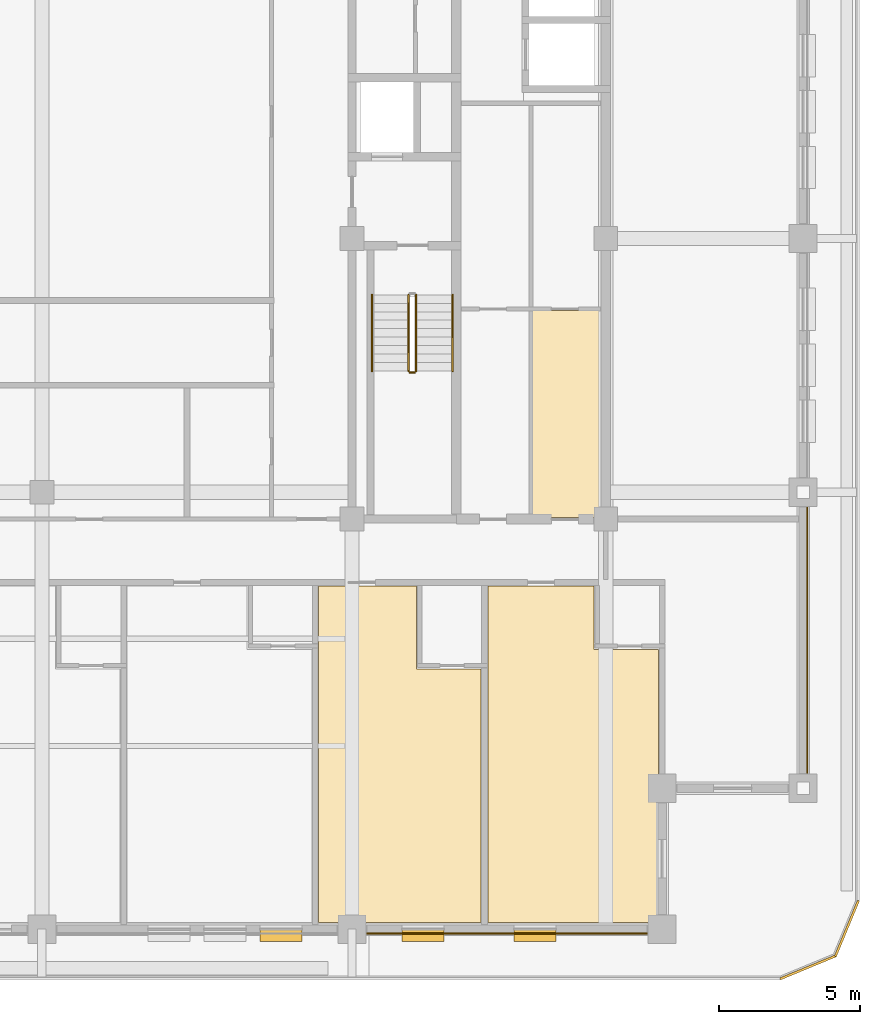
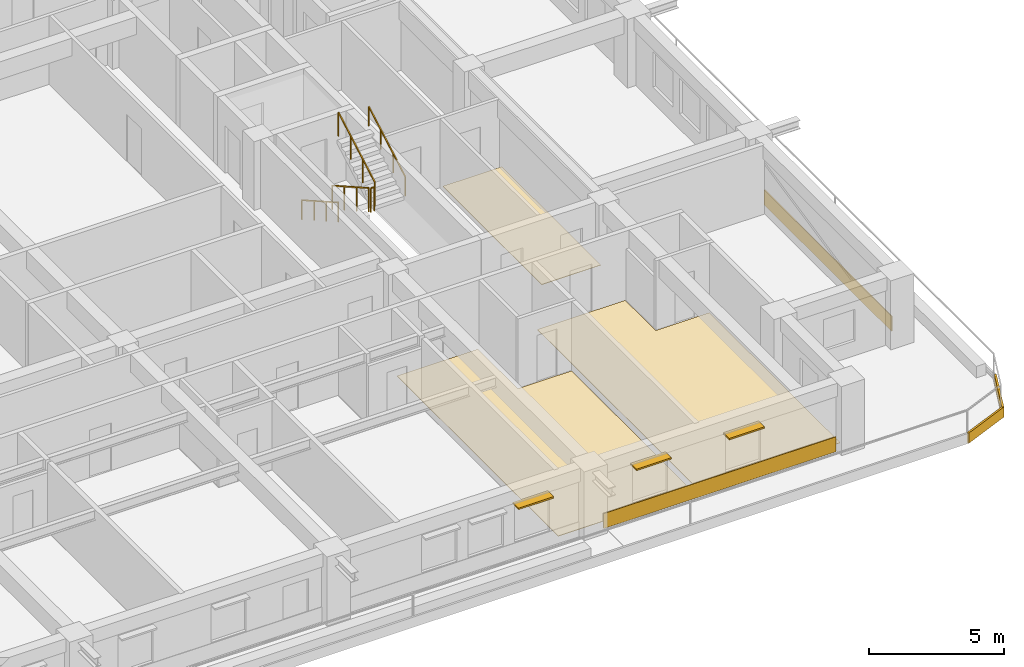
# One storey, part 13 of 15: 7 coverings, 5 railings, 3 shading devices.
"""IFC4 building model written with IfcOpenShell, lengths in metres."""

from ifc_helpers import new_model, si_unit, direction, frame, frame_2d, origin, origin_2d, place, context, subcontext, project, spatial, polyline, rectangle, outline, extrude, material, layer, layer_set, type_object, element, save


model = new_model("IFC4")

# Units and contexts
model_context = context("Model", 3, precision=1e-05, world=origin(), true_north=direction((0.0, 1.0)))
body_context = subcontext(model_context, "Body", "Model", "MODEL_VIEW")
ifc_project = project(units=[si_unit("LENGTHUNIT", "METRE"), si_unit("AREAUNIT", "SQUARE_METRE"), si_unit("VOLUMEUNIT", "CUBIC_METRE"), si_unit("PLANEANGLEUNIT", "RADIAN"), si_unit("MASSUNIT", "GRAM", prefix="KILO")], contexts=[model_context])

# Site, building, storey
site_placement = place(None, origin())
site = spatial("IfcSite", under=ifc_project, at=site_placement, CompositionType="ELEMENT")
building_placement = place(site_placement, origin())
building = spatial("IfcBuilding", under=site, at=building_placement, Name="Zulmaris Gate Convention Tower", CompositionType="ELEMENT")
storey_placement = place(building_placement, frame((0.0, 0.0, 172.85986328125)))
storey = spatial("IfcBuildingStorey", under=building, at=storey_placement, Name="L44", CompositionType="ELEMENT", Elevation=172.85986328125)

# Coverings
ifc_material_1 = material(Name="Precast concrete C40/50", Category="concrete")
ifc_layer_1 = layer(ifc_material_1, 0.0400390625, Name="Precast concrete C40/50")
ifc_layer_set_1 = layer_set([ifc_layer_1], Name="Precast concrete C40/50")
covering_type_1 = type_object("IfcCoveringType", Name="CLAD-SPANDREL-PRECAST", PredefinedType="CLADDING", material=ifc_layer_set_1)
covering_1_placement = place(storey_placement, frame((11.530029296875, -24.64990234375, 0.0), z_axis=(0.0, 0.0, 1.0), x_axis=(1.0, 0.0, 0.0)))
element("IfcCovering", 1, at=covering_1_placement, inside=storey, type_object=covering_type_1, Name="CLD-L44-S-3_0", PredefinedType="CLADDING", context=body_context, shape_type="SweptSolid", body=[
    extrude(rectangle(XDim=9.93994140625, YDim=0.0400390625, at=frame_2d((4.969970703125, 0.0))), origin(), (0.0, 0.0, 1.0), 0.679931640625),
])
covering_2_placement = place(storey_placement, frame((27.14990234375, -18.969970703125, 0.0), z_axis=(0.0, 0.0, 1.0), x_axis=(0.0, 1.0, 0.0)))
element("IfcCovering", 2, at=covering_2_placement, inside=storey, type_object=covering_type_1, Name="CLD-L44-E-0_0", PredefinedType="CLADDING", context=body_context, shape_type="SweptSolid", body=[
    extrude(rectangle(XDim=9.43994140625, YDim=0.0400390625, at=frame_2d((4.719970703125, 0.0))), origin(), (0.0, 0.0, 1.0), 0.679931640625),
])
ifc_material_2 = material(Name="White Glazed Architectural Precast Concrete C40/50", Category="concrete")
ifc_layer_2 = layer(ifc_material_2, 0.080078125, Name="White Glazed Architectural Precast Concrete C40/50")
ifc_layer_set_2 = layer_set([ifc_layer_2], Name="White Glazed Architectural Precast Concrete C40/50")
covering_type_2 = type_object("IfcCoveringType", Name="CLAD-TRAY-FASCIA", PredefinedType="CLADDING", material=ifc_layer_set_2)
covering_3_placement = place(storey_placement, frame((26.184814453125, -26.262939453125, -0.2900390625), z_axis=(0.0, 0.0, 1.0), x_axis=(0.923873803533, 0.382697263049, 0.0)))
element("IfcCovering", 3, at=covering_3_placement, inside=storey, type_object=covering_type_2, Name="FSC-L44-TR-03", PredefinedType="CLADDING", context=body_context, shape_type="SweptSolid", body=[
    extrude(rectangle(XDim=2.142822265625, YDim=0.080078125, at=frame_2d((1.0712890625, 0.0))), origin(), (0.0, 0.0, 1.0), 0.4599609375),
])
covering_4_placement = place(storey_placement, frame((28.142822265625, -25.464599609375, -0.2900390625), z_axis=(0.0, 0.0, 1.0), x_axis=(0.382656984709, 0.923890487046, 0.0)))
element("IfcCovering", 4, at=covering_4_placement, inside=storey, type_object=covering_type_2, Name="FSC-L44-TR-04", PredefinedType="CLADDING", context=body_context, shape_type="SweptSolid", body=[
    extrude(rectangle(XDim=2.14306640625, YDim=0.080078125, at=frame_2d((1.071533203125, 0.0))), origin(), (0.0, 0.0, 1.0), 0.4599609375),
])
ifc_material_3 = material(Name="Woven Acoustic Wool Carpet Tile")
ifc_layer_3 = layer(ifc_material_3, 0.02001953125, Name="Woven Acoustic Wool Carpet Tile")
ifc_layer_set_3 = layer_set([ifc_layer_3], Name="Woven Acoustic Wool Carpet Tile")
covering_type_3 = type_object("IfcCoveringType", Name="FLR-CARPET-12", PredefinedType="FLOORING", material=ifc_layer_set_3)
covering_5_placement = place(storey_placement, origin())
element("IfcCovering", 5, at=covering_5_placement, inside=storey, type_object=covering_type_3, Name="FLR-L44-R27", PredefinedType="FLOORING", context=body_context, shape_type="SweptSolid", body=[
    extrude(outline(polyline([(17.409912109375, -9.889892578125), (19.93994140625, -9.889892578125), (19.93994140625, -2.56005859375), (17.409912109375, -2.56005859375), (17.409912109375, -9.889892578125)])), origin(), (0.0, 0.0, 1.0), 0.02001953125),
])
ifc_material_4 = material(Name="Engineered Teak Parquet Flooring")
ifc_layer_4 = layer(ifc_material_4, 0.02001953125, Name="Engineered Teak Parquet Flooring")
ifc_layer_set_4 = layer_set([ifc_layer_4], Name="Engineered Teak Parquet Flooring")
covering_type_4 = type_object("IfcCoveringType", Name="FLR-TIMBER-18", PredefinedType="FLOORING", material=ifc_layer_set_4)
covering_6_placement = place(storey_placement, origin())
element("IfcCovering", 6, at=covering_6_placement, inside=storey, type_object=covering_type_4, Name="FLR-L44-R52", PredefinedType="FLOORING", context=body_context, shape_type="SweptSolid", body=[
    extrude(outline(polyline([(9.820068359375, -24.260009765625), (15.580078125, -24.260009765625), (15.580078125, -15.27001953125), (13.280029296875, -15.27001953125), (13.280029296875, -12.320068359375), (9.820068359375, -12.320068359375), (9.820068359375, -24.260009765625)])), origin(), (0.0, 0.0, 1.0), 0.02001953125),
])
covering_7_placement = place(storey_placement, origin())
element("IfcCovering", 7, at=covering_7_placement, inside=storey, type_object=covering_type_4, Name="FLR-L44-R54", PredefinedType="FLOORING", context=body_context, shape_type="SweptSolid", body=[
    extrude(outline(polyline([(15.820068359375, -24.260009765625), (21.8798828125, -24.260009765625), (21.8798828125, -14.570068359375), (19.580078125, -14.570068359375), (19.580078125, -12.320068359375), (15.820068359375, -12.320068359375), (15.820068359375, -24.260009765625)])), origin(), (0.0, 0.0, 1.0), 0.02001953125),
])

# Railings
ifc_material_5 = material(Name="Painted Galvanised Steel", Category="steel")
railing_type_1 = type_object("IfcRailingType", Name="RL-STG-1150", PredefinedType="GUARDRAIL", material=ifc_material_5)
railing_1_placement = place(storey_placement, frame((13.010009765625, -2.0, 0.169921875)))
element("IfcRailing", 8, at=railing_1_placement, inside=storey, type_object=railing_type_1, Name="L44 ST-2 stair guard 1", PredefinedType="GUARDRAIL", context=body_context, shape_type="SweptSolid", body=[
    extrude(rectangle(XDim=0.048095703125, YDim=0.048095703125, at=origin_2d()), frame((0.0, 0.0, 1.076171875), z_axis=(0.0, -0.870014312096, 0.49302646658), x_axis=(1.0, 0.0, 0.0)), (0.0, 0.0, 1.0), 3.103271484375),
    extrude(rectangle(XDim=0.0419921875, YDim=0.0419921875, at=origin_2d()), origin(), (0.0, 0.0, 1.0), 1.052001953125),
    extrude(rectangle(XDim=0.0419921875, YDim=0.0419921875, at=origin_2d()), frame((0.0, -0.89990234375, 0.510009765625)), (0.0, 0.0, 1.0), 1.052001953125),
    extrude(rectangle(XDim=0.0419921875, YDim=0.0419921875, at=origin_2d()), frame((0.0, -1.800048828125, 1.02001953125)), (0.0, 0.0, 1.0), 1.052001953125),
    extrude(rectangle(XDim=0.0419921875, YDim=0.0419921875, at=origin_2d()), frame((0.0, -2.699951171875, 1.530029296875)), (0.0, 0.0, 1.0), 1.052001953125),
])
railing_2_placement = place(storey_placement, frame((13.06005859375, -4.75, 1.699951171875)))
element("IfcRailing", 9, at=railing_2_placement, inside=storey, type_object=railing_type_1, Name="L44 ST-2 stair guard 2", PredefinedType="GUARDRAIL", context=body_context, shape_type="SweptSolid", body=[
    extrude(rectangle(XDim=0.048095703125, YDim=0.048095703125, at=origin_2d()), frame((0.0, 0.0, 1.076171875), z_axis=(1.0, 0.0, 0.0), x_axis=(0.0, 1.0, 0.0)), (0.0, 0.0, 1.0), 0.159912109375),
    extrude(rectangle(XDim=0.0419921875, YDim=0.0419921875, at=origin_2d()), origin(), (0.0, 0.0, 1.0), 1.052001953125),
    extrude(rectangle(XDim=0.0419921875, YDim=0.0419921875, at=origin_2d()), frame((0.159912109375, 0.0, 0.0)), (0.0, 0.0, 1.0), 1.052001953125),
])
railing_3_placement = place(storey_placement, frame((13.27001953125, -4.699951171875, 1.869873046875)))
element("IfcRailing", 10, at=railing_3_placement, inside=storey, type_object=railing_type_1, Name="L44 ST-2 stair guard 3", PredefinedType="GUARDRAIL", context=body_context, shape_type="SweptSolid", body=[
    extrude(rectangle(XDim=0.048095703125, YDim=0.048095703125, at=origin_2d()), frame((0.0, 0.0, 1.076171875), z_axis=(0.0, 0.870014312096, 0.49302646658), x_axis=(-1.0, 0.0, 0.0)), (0.0, 0.0, 1.0), 3.103271484375),
    extrude(rectangle(XDim=0.0419921875, YDim=0.0419921875, at=origin_2d()), origin(), (0.0, 0.0, 1.0), 1.052001953125),
    extrude(rectangle(XDim=0.0419921875, YDim=0.0419921875, at=origin_2d()), frame((0.0, 0.89990234375, 0.510009765625)), (0.0, 0.0, 1.0), 1.052001953125),
    extrude(rectangle(XDim=0.0419921875, YDim=0.0419921875, at=origin_2d()), frame((0.0, 1.800048828125, 1.02001953125)), (0.0, 0.0, 1.0), 1.052001953125),
    extrude(rectangle(XDim=0.0419921875, YDim=0.0419921875, at=origin_2d()), frame((0.0, 2.699951171875, 1.530029296875)), (0.0, 0.0, 1.0), 1.052001953125),
])
ifc_material_6 = material(Name="Brushed Stainless Steel", Category="steel")
railing_type_2 = type_object("IfcRailingType", Name="RL-STH-900", PredefinedType="HANDRAIL", material=ifc_material_6)
railing_4_placement = place(storey_placement, frame((11.7099609375, -2.0, 0.169921875)))
element("IfcRailing", 11, at=railing_4_placement, inside=storey, type_object=railing_type_2, Name="L44 ST-2 stair handrail 1", PredefinedType="HANDRAIL", context=body_context, shape_type="SweptSolid", body=[
    extrude(rectangle(XDim=0.048095703125, YDim=0.048095703125, at=origin_2d()), frame((0.0, 0.0, 0.8759765625), z_axis=(0.0, -0.870014312096, 0.49302646658), x_axis=(1.0, 0.0, 0.0)), (0.0, 0.0, 1.0), 3.103271484375),
    extrude(rectangle(XDim=0.0419921875, YDim=0.0419921875, at=origin_2d()), origin(), (0.0, 0.0, 1.0), 0.851806640625),
    extrude(rectangle(XDim=0.0419921875, YDim=0.0419921875, at=origin_2d()), frame((0.0, -0.89990234375, 0.510009765625)), (0.0, 0.0, 1.0), 0.851806640625),
    extrude(rectangle(XDim=0.0419921875, YDim=0.0419921875, at=origin_2d()), frame((0.0, -1.800048828125, 1.02001953125)), (0.0, 0.0, 1.0), 0.851806640625),
    extrude(rectangle(XDim=0.0419921875, YDim=0.0419921875, at=origin_2d()), frame((0.0, -2.699951171875, 1.530029296875)), (0.0, 0.0, 1.0), 0.851806640625),
])
railing_5_placement = place(storey_placement, frame((14.570068359375, -4.699951171875, 1.869873046875)))
element("IfcRailing", 12, at=railing_5_placement, inside=storey, type_object=railing_type_2, Name="L44 ST-2 stair handrail 2", PredefinedType="HANDRAIL", context=body_context, shape_type="SweptSolid", body=[
    extrude(rectangle(XDim=0.048095703125, YDim=0.048095703125, at=origin_2d()), frame((0.0, 0.0, 0.8759765625), z_axis=(0.0, 0.870014312096, 0.49302646658), x_axis=(-1.0, 0.0, 0.0)), (0.0, 0.0, 1.0), 3.103271484375),
    extrude(rectangle(XDim=0.0419921875, YDim=0.0419921875, at=origin_2d()), origin(), (0.0, 0.0, 1.0), 0.851806640625),
    extrude(rectangle(XDim=0.0419921875, YDim=0.0419921875, at=origin_2d()), frame((0.0, 0.89990234375, 0.510009765625)), (0.0, 0.0, 1.0), 0.851806640625),
    extrude(rectangle(XDim=0.0419921875, YDim=0.0419921875, at=origin_2d()), frame((0.0, 1.800048828125, 1.02001953125)), (0.0, 0.0, 1.0), 0.851806640625),
    extrude(rectangle(XDim=0.0419921875, YDim=0.0419921875, at=origin_2d()), frame((0.0, 2.699951171875, 1.530029296875)), (0.0, 0.0, 1.0), 0.851806640625),
])

# Shading devices
ifc_material_7 = material(Name="Glazed Ceramic Terracotta", Category="masonry")
ifc_layer_5 = layer(ifc_material_7, 0.070068359375, Name="Glazed Ceramic Terracotta")
ifc_layer_set_5 = layer_set([ifc_layer_5], Name="Glazed Ceramic Terracotta")
shading_device_type = type_object("IfcShadingDeviceType", Name="SHD-SUNSHADE-TC", PredefinedType="AWNING", material=ifc_layer_set_5)
for number, where, z_axis, x_axis, name in (
    (13, (7.73193359375, -24.719970703125, 2.35009765625), (0.0, 0.0, 1.0), (1.0, 0.0, 0.0), "SHD-EW-L44-S-2_0-4"),
    (14, (12.76806640625, -24.719970703125, 2.35009765625), (0.0, 0.0, 1.0), (1.0, 0.0, 0.0), "SHD-EW-L44-S-3_0-1"),
    (15, (16.743896484375, -24.719970703125, 2.35009765625), (0.0, 0.0, 1.0), (1.0, 0.0, 0.0), "SHD-EW-L44-S-3_0-3"),
):
    element("IfcShadingDevice", number, at=place(storey_placement, frame(where, z_axis=z_axis, x_axis=x_axis)), inside=storey, type_object=shading_device_type, Name=name, PredefinedType="AWNING", context=body_context, shape_type="SweptSolid", body=[
        extrude(rectangle(XDim=1.5, YDim=0.43994140625, at=frame_2d((0.75, 0.0))), origin(), (0.0, 0.0, 1.0), 0.06982421875),
    ])

save(model, "model.ifc")
